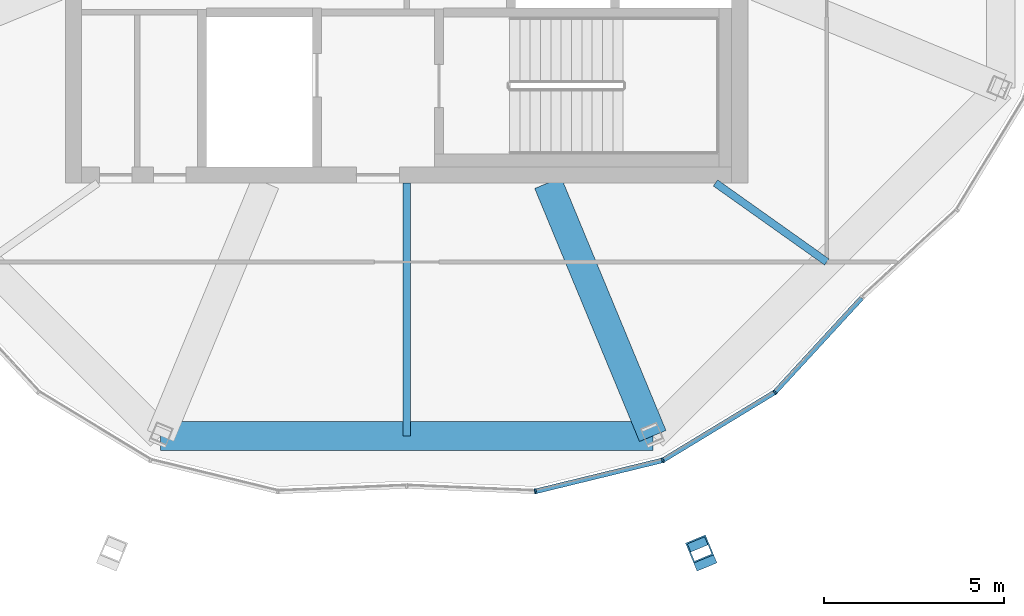
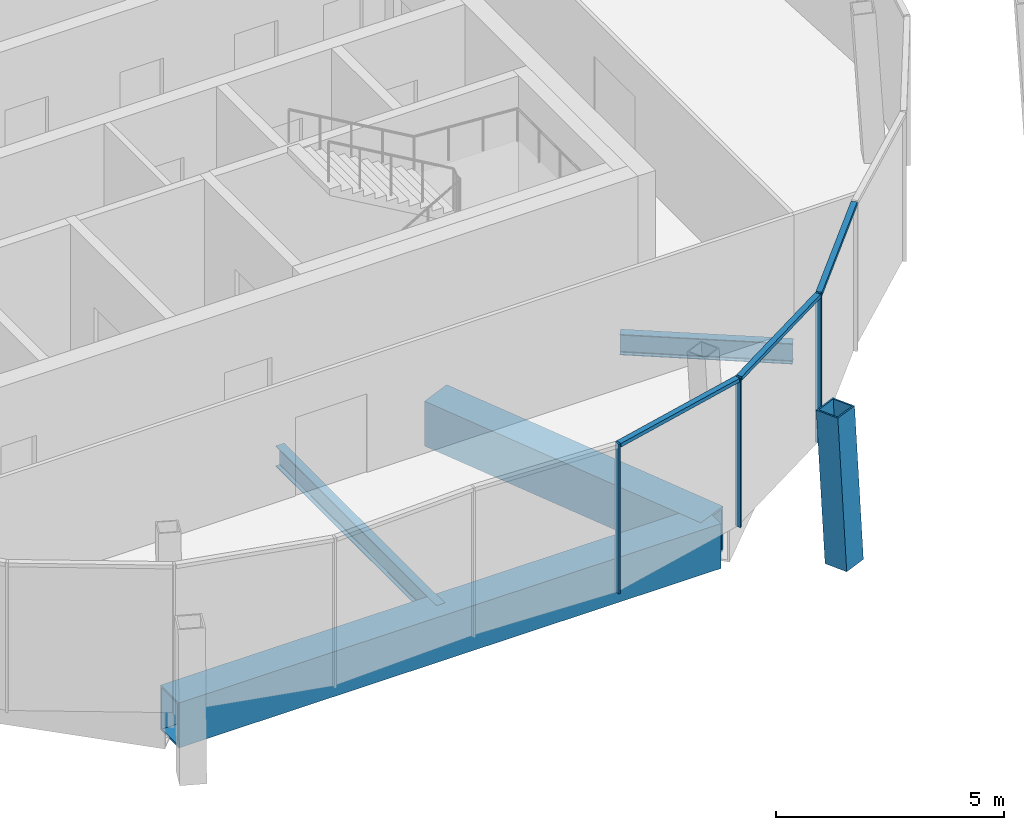
# One storey, part 3 of 22: 7 members, 4 beams, 1 element without a shape of its own.
"""IFC4 building model written with IfcOpenShell, lengths in metres."""

from ifc_helpers import new_model, si_unit, direction, frame, origin, origin_2d, place, context, subcontext, project, spatial, rectangle, hollow_rectangle, i_section, extrude, material, material_profile, profile_set, type_object, element, aggregate, save


model = new_model("IFC4")

# Units and contexts
model_context = context("Model", 3, precision=1e-05, world=origin(), true_north=direction((0.0, 1.0)))
body_context = subcontext(model_context, "Body", "Model", "MODEL_VIEW")
ifc_project = project(units=[si_unit("LENGTHUNIT", "METRE"), si_unit("AREAUNIT", "SQUARE_METRE"), si_unit("VOLUMEUNIT", "CUBIC_METRE"), si_unit("PLANEANGLEUNIT", "RADIAN"), si_unit("MASSUNIT", "GRAM", prefix="KILO")], contexts=[model_context])

# Site, building, storey
site_placement = place(None, origin())
site = spatial("IfcSite", under=ifc_project, at=site_placement, CompositionType="ELEMENT")
building_placement = place(site_placement, origin())
building = spatial("IfcBuilding", under=site, at=building_placement, Name="Ogive Gate Towers", CompositionType="ELEMENT")
storey_placement = place(building_placement, frame((0.0, 0.0, 298.0)))
storey = spatial("IfcBuildingStorey", under=building, at=storey_placement, Name="L70", CompositionType="ELEMENT", Elevation=298.0)

# Curtain wall, members
ifc_material_1 = material(Name="Pale metal aluminium", Category="aluminium")
curtain_wall_type = type_object("IfcCurtainWallType", Name="Crown lean wall", PredefinedType="NOTDEFINED", material=ifc_material_1)
curtain_wall_placement = place(storey_placement, origin())
curtain_wall = element("IfcCurtainWall", 1, at=curtain_wall_placement, inside=storey, type_object=curtain_wall_type, Name="CW5 T1 ECW07", PredefinedType="NOTDEFINED")
ifc_material_profile_1 = material_profile(ifc_material_1, rectangle(XDim=0.139892578125, YDim=0.050048828125, at=origin_2d()), Name="50 x 140 aluminium box")
ifc_profile_set_1 = profile_set([ifc_material_profile_1], Name="Pale metal aluminium")
member_type_1 = type_object("IfcMemberType", Name="Crown lean wall mullion 50 x 140", PredefinedType="MULLION", material=ifc_profile_set_1)
member_1_placement = place(storey_placement, frame((-25.744384765625, -15.325439453125, -0.300048828125), z_axis=(0.0, 0.0, 1.0), x_axis=(-0.633772467207, 0.77351952775, 0.0)))
member_1 = element("IfcMember", 2, at=member_1_placement, type_object=member_type_1, Name="CW5 mullion", PredefinedType="MULLION", context=body_context, shape_type="SweptSolid", body=[
    extrude(rectangle(XDim=0.139892578125, YDim=0.050048828125, at=origin_2d()), origin(), (0.0, 0.0, 1.0), 4.0),
])
member_2_placement = place(storey_placement, frame((-28.8662109375, -17.22216796875, -0.300048828125), z_axis=(0.0, 0.0, 1.0), x_axis=(-0.382683432365, 0.923879532511, 0.0)))
member_2 = element("IfcMember", 3, at=member_2_placement, type_object=member_type_1, Name="CW5 mullion", PredefinedType="MULLION", context=body_context, shape_type="SweptSolid", body=[
    extrude(rectangle(XDim=0.139892578125, YDim=0.050048828125, at=origin_2d()), origin(), (0.0, 0.0, 1.0), 4.0),
])
member_3_placement = place(storey_placement, frame((-32.414794921875, -18.088623046875, -0.300048828125), z_axis=(0.0, 0.0, 1.0), x_axis=(-0.098833462017, 0.995103987926, 0.0)))
member_3 = element("IfcMember", 4, at=member_3_placement, type_object=member_type_1, Name="CW5 mullion", PredefinedType="MULLION", context=body_context, shape_type="SweptSolid", body=[
    extrude(rectangle(XDim=0.139892578125, YDim=0.050048828125, at=origin_2d()), origin(), (0.0, 0.0, 1.0), 4.0),
])
ifc_material_profile_2 = material_profile(ifc_material_1, rectangle(XDim=0.139892578125, YDim=0.10009765625, at=origin_2d()), Name="100 x 140 aluminium box")
ifc_profile_set_2 = profile_set([ifc_material_profile_2], Name="Pale metal aluminium")
member_type_2 = type_object("IfcMemberType", Name="Crown lean wall transom 100 x 140", PredefinedType="USERDEFINED", material=ifc_profile_set_2)
member_4_placement = place(storey_placement, frame((-23.33056640625, -12.702880859375, 3.64990234375), z_axis=(-0.677183685751, -0.735814008941, 0.0), x_axis=(0.735814008941, -0.677183685751, 0.0)))
member_4 = element("IfcMember", 5, at=member_4_placement, type_object=member_type_2, Name="CW5 transom", ObjectType="TRANSOM", PredefinedType="USERDEFINED", context=body_context, shape_type="SweptSolid", body=[
    extrude(rectangle(XDim=0.139892578125, YDim=0.10009765625, at=origin_2d()), origin(), (0.0, 0.0, 1.0), 3.535400390625),
])
member_5_placement = place(storey_placement, frame((-25.769287109375, -15.3408203125, 3.64990234375), z_axis=(-0.854590509475, -0.519302475553, 0.0), x_axis=(0.519302475553, -0.854590509475, 0.0)))
member_5 = element("IfcMember", 6, at=member_5_placement, type_object=member_type_2, Name="CW5 transom", ObjectType="TRANSOM", PredefinedType="USERDEFINED", context=body_context, shape_type="SweptSolid", body=[
    extrude(rectangle(XDim=0.139892578125, YDim=0.10009765625, at=origin_2d()), origin(), (0.0, 0.0, 1.0), 3.59423828125),
])
member_6_placement = place(storey_placement, frame((-28.89501953125, -17.2294921875, 3.64990234375), z_axis=(-0.971474168805, -0.237145397056, 0.0), x_axis=(0.237145397056, -0.971474168805, 0.0)))
member_6 = element("IfcMember", 7, at=member_6_placement, type_object=member_type_2, Name="CW5 transom", ObjectType="TRANSOM", PredefinedType="USERDEFINED", context=body_context, shape_type="SweptSolid", body=[
    extrude(rectangle(XDim=0.139892578125, YDim=0.10009765625, at=origin_2d()), origin(), (0.0, 0.0, 1.0), 3.593994140625),
])
aggregate(curtain_wall, [member_1, member_4, member_2, member_5, member_3, member_6])

# Member
ifc_material_2 = material(Name="Steel SM460", Category="steel")
ifc_material_profile_3 = material_profile(ifc_material_2, hollow_rectangle(XDim=0.60009765625, YDim=0.60009765625, WallThickness=0.0400390625, at=origin_2d()), Name="BX 600x600x40")
ifc_profile_set_3 = profile_set([ifc_material_profile_3], Name="Steel SM460")
member_type_3 = type_object("IfcMemberType", Name="Crown rib BX 600x600x40", PredefinedType="MEMBER", material=ifc_profile_set_3)
member_7_placement = place(storey_placement, frame((-27.749267578125, -19.919189453125, 0.0), z_axis=(-0.023332863722, 0.056413137875, 0.99813482824), x_axis=(-0.924077607992, -0.382204885379, 0.0)))
element("IfcMember", 8, at=member_7_placement, inside=storey, type_object=member_type_3, Name="T1/L70/STR007", PredefinedType="MEMBER", context=body_context, shape_type="SweptSolid", body=[
    extrude(hollow_rectangle(XDim=0.60009765625, YDim=0.60009765625, WallThickness=0.0400390625, at=origin_2d()), origin(), (0.0, 0.0, 1.0), 4.007568359375),
])

# Beams
ifc_material_profile_4 = material_profile(ifc_material_2, hollow_rectangle(XDim=0.800048828125, YDim=1.199951171875, WallThickness=0.050048828125, at=origin_2d()), Name="BX 1200x800x50")
ifc_profile_set_4 = profile_set([ifc_material_profile_4], Name="Steel SM460")
beam_type_1 = type_object("IfcBeamType", Name="Edge girder BX 1200x800x50", PredefinedType="BEAM", material=ifc_profile_set_4)
beam_1_placement = place(storey_placement, frame((-42.853759765625, -16.546630859375, -0.89990234375), z_axis=(1.0, 0.0, 0.0), x_axis=(0.0, 1.0, 0.0)))
element("IfcBeam", 9, at=beam_1_placement, inside=storey, type_object=beam_type_1, Name="T1/L70/SBM018", PredefinedType="BEAM", context=body_context, shape_type="SweptSolid", body=[
    extrude(hollow_rectangle(XDim=0.800048828125, YDim=1.199951171875, WallThickness=0.050048828125, at=origin_2d()), origin(), (0.0, 0.0, 1.0), 13.70751953125),
])
ifc_material_3 = material(Name="Steel SM355", Category="steel")
ifc_material_profile_5 = material_profile(ifc_material_3, i_section(OverallWidth=0.2099609375, OverallDepth=0.550048828125, WebThickness=0.010986328125, FlangeThickness=0.01708984375, FilletRadius=0.02392578125, at=origin_2d()), Name="IPE 550")
ifc_profile_set_5 = profile_set([ifc_material_profile_5], Name="Steel SM355")
beam_type_2 = type_object("IfcBeamType", Name="Radial floor beam IPE 550", PredefinedType="BEAM", material=ifc_profile_set_5)
beam_2_placement = place(storey_placement, frame((-36.0, -9.5, -0.574951171875), z_axis=(0.0, -1.0, 0.0), x_axis=(1.0, 0.0, 0.0)))
element("IfcBeam", 10, at=beam_2_placement, inside=storey, type_object=beam_type_2, Name="T1/L70/SBM004", PredefinedType="BEAM", context=body_context, shape_type="SweptSolid", body=[
    extrude(i_section(OverallWidth=0.2099609375, OverallDepth=0.550048828125, WebThickness=0.010986328125, FlangeThickness=0.01708984375, FilletRadius=0.02392578125, at=origin_2d()), origin(), (0.0, 0.0, 1.0), 7.046630859375),
])
beam_3_placement = place(storey_placement, frame((-27.39990234375, -9.5, -0.574951171875), z_axis=(0.815491500037, -0.578769050113, 0.0), x_axis=(0.578769050113, 0.815491500037, 0.0)))
element("IfcBeam", 11, at=beam_3_placement, inside=storey, type_object=beam_type_2, Name="T1/L70/SBM006", PredefinedType="BEAM", context=body_context, shape_type="SweptSolid", body=[
    extrude(i_section(OverallWidth=0.2099609375, OverallDepth=0.550048828125, WebThickness=0.010986328125, FlangeThickness=0.01708984375, FilletRadius=0.02392578125, at=origin_2d()), origin(), (0.0, 0.0, 1.0), 3.801513671875),
])
ifc_material_profile_6 = material_profile(ifc_material_2, hollow_rectangle(XDim=0.800048828125, YDim=1.199951171875, WallThickness=0.050048828125, at=origin_2d()), Name="BX 1200x800x50")
ifc_profile_set_6 = profile_set([ifc_material_profile_6], Name="Steel SM460")
beam_type_3 = type_object("IfcBeamType", Name="Transfer radial beam BX 1200x800x50", PredefinedType="BEAM", material=ifc_profile_set_6)
beam_4_placement = place(storey_placement, frame((-32.06494140625, -9.5, -0.89990234375), z_axis=(0.382671245488, -0.923884580387, 0.0), x_axis=(0.923884580387, 0.382671245488, 0.0)))
element("IfcBeam", 12, at=beam_4_placement, inside=storey, type_object=beam_type_3, Name="T1/L70/SBM005", PredefinedType="BEAM", context=body_context, shape_type="SweptSolid", body=[
    extrude(hollow_rectangle(XDim=0.800048828125, YDim=1.199951171875, WallThickness=0.050048828125, at=origin_2d()), origin(), (0.0, 0.0, 1.0), 7.627197265625),
])

save(model, "model.ifc")
